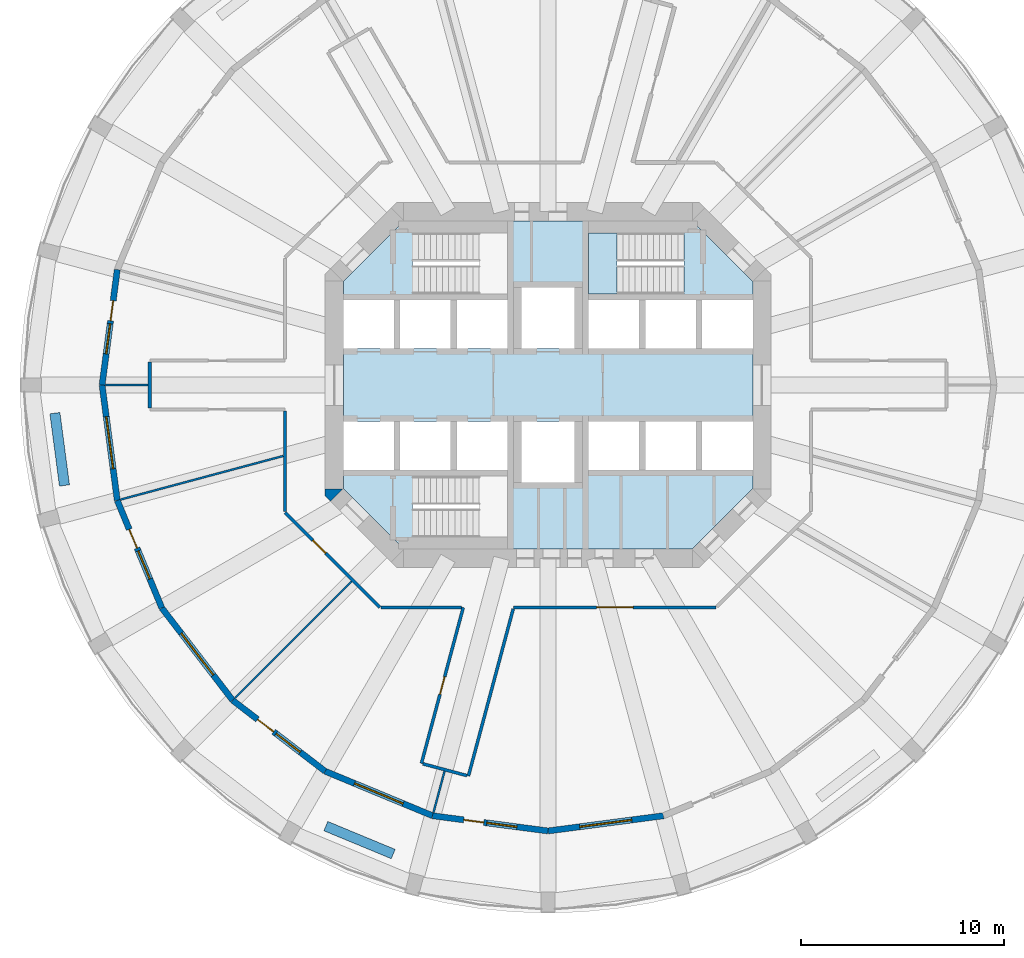
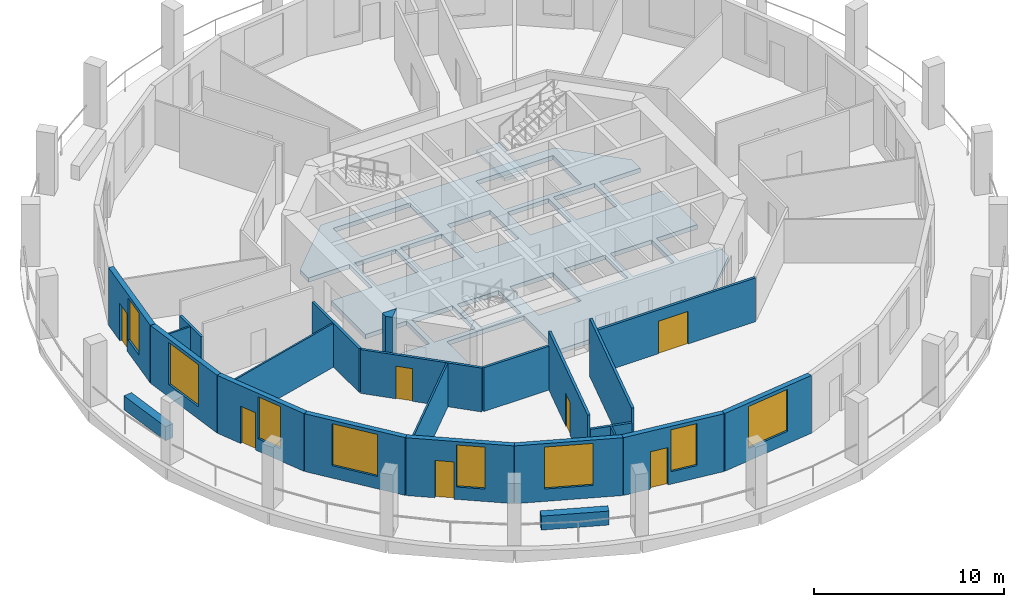
# One storey, part 2 of 9: 23 walls, 8 windows, 7 doors, 2 slabs, 15 openings, 1 element without a shape of its own.
"""IFC4 building model written with IfcOpenShell, lengths in metres."""

from ifc_helpers import new_model, si_unit, direction, frame, frame_2d, origin, place, context, subcontext, project, spatial, polyline, rectangle, outline, extrude, material, layer, layer_set, type_object, element, fill, aggregate, save


model = new_model("IFC4")

# Units and contexts
model_context = context("Model", 3, precision=1e-05, world=origin(), true_north=direction((0.0, 1.0)))
body_context = subcontext(model_context, "Body", "Model", "MODEL_VIEW")
ifc_project = project(units=[si_unit("LENGTHUNIT", "METRE"), si_unit("AREAUNIT", "SQUARE_METRE"), si_unit("VOLUMEUNIT", "CUBIC_METRE"), si_unit("PLANEANGLEUNIT", "RADIAN"), si_unit("MASSUNIT", "GRAM", prefix="KILO")], contexts=[model_context])

# Site, building, storey
site_placement = place(None, origin())
site = spatial("IfcSite", under=ifc_project, at=site_placement, CompositionType="ELEMENT")
building_placement = place(site_placement, origin())
building = spatial("IfcBuilding", under=site, at=building_placement, Name="Torre Triforio", CompositionType="ELEMENT")
storey_placement = place(building_placement, frame((0.0, 0.0, 102.60009765625)))
storey = spatial("IfcBuildingStorey", under=building, at=storey_placement, Name="L22", CompositionType="ELEMENT", Elevation=102.60009765625)

# Slab
ifc_material_1 = material(Name="Concrete C60", Category="concrete")
ifc_layer_1 = layer(ifc_material_1, 0.280029296875)
ifc_layer_set_1 = layer_set([ifc_layer_1], Name="Concrete C60")
slab_type_1 = type_object("IfcSlabType", Name="Core floor slab 280 mm C60 REI 120", PredefinedType="FLOOR", material=ifc_layer_set_1)
slab_1_placement = place(storey_placement, frame((0.0, 0.0, -0.280029296875)))
element("IfcSlab", 1, at=slab_1_placement, inside=storey, type_object=slab_type_1, Name="Core floor slab", PredefinedType="FLOOR", context=body_context, shape_type="SweptSolid", body=[
    extrude(outline(polyline([(10.10009765625, -5.10009765625), (7.10009765625, -8.10009765625), (-7.10009765625, -8.10009765625), (-10.10009765625, -5.10009765625), (-10.10009765625, -4.199951171875), (-7.60009765625, -4.199951171875), (-7.60009765625, -1.800048828125), (-10.10009765625, -1.800048828125), (-10.10009765625, 1.800048828125), (-7.60009765625, 1.800048828125), (-7.60009765625, 4.199951171875), (-10.10009765625, 4.199951171875), (-10.10009765625, 5.10009765625), (-7.10009765625, 8.10009765625), (7.10009765625, 8.10009765625), (10.10009765625, 5.10009765625), (10.10009765625, 4.199951171875), (7.60009765625, 4.199951171875), (7.60009765625, 1.800048828125), (10.10009765625, 1.800048828125), (10.10009765625, -1.800048828125), (7.60009765625, -1.800048828125), (7.60009765625, -4.199951171875), (10.10009765625, -4.199951171875), (10.10009765625, -5.10009765625)]), holes=[polyline([(-2.0, -4.5), (-6.696044921875, -4.5), (-6.696044921875, -7.5), (-2.0, -7.5), (-2.0, -4.5)]), polyline([(-4.800048828125, -1.800048828125), (-7.300048828125, -1.800048828125), (-7.300048828125, -4.199951171875), (-4.800048828125, -4.199951171875), (-4.800048828125, -1.800048828125)]), polyline([(-2.0, -1.800048828125), (-4.5, -1.800048828125), (-4.5, -4.199951171875), (-2.0, -4.199951171875), (-2.0, -1.800048828125)]), polyline([(-4.800048828125, 4.199951171875), (-7.300048828125, 4.199951171875), (-7.300048828125, 1.800048828125), (-4.800048828125, 1.800048828125), (-4.800048828125, 4.199951171875)]), polyline([(-2.0, 4.199951171875), (-4.5, 4.199951171875), (-4.5, 1.800048828125), (-2.0, 1.800048828125), (-2.0, 4.199951171875)]), polyline([(1.300048828125, 4.800048828125), (-1.300048828125, 4.800048828125), (-1.300048828125, 1.800048828125), (1.300048828125, 1.800048828125), (1.300048828125, 4.800048828125)]), polyline([(-2.0, 7.5), (-6.696044921875, 7.5), (-6.696044921875, 4.5), (-2.0, 4.5), (-2.0, 7.5)]), polyline([(1.300048828125, -1.800048828125), (-1.300048828125, -1.800048828125), (-1.300048828125, -4.800048828125), (1.300048828125, -4.800048828125), (1.300048828125, -1.800048828125)]), polyline([(4.5, -1.800048828125), (2.0, -1.800048828125), (2.0, -4.199951171875), (4.5, -4.199951171875), (4.5, -1.800048828125)]), polyline([(7.300048828125, -1.800048828125), (4.800048828125, -1.800048828125), (4.800048828125, -4.199951171875), (7.300048828125, -4.199951171875), (7.300048828125, -1.800048828125)]), polyline([(4.5, 4.199951171875), (2.0, 4.199951171875), (2.0, 1.800048828125), (4.5, 1.800048828125), (4.5, 4.199951171875)]), polyline([(7.300048828125, 4.199951171875), (4.800048828125, 4.199951171875), (4.800048828125, 1.800048828125), (7.300048828125, 1.800048828125), (7.300048828125, 4.199951171875)]), polyline([(6.696044921875, 4.5), (6.696044921875, 7.5), (2.0, 7.5), (2.0, 4.5), (6.696044921875, 4.5)])]), origin(), (0.0, 0.0, 1.0), 0.280029296875),
])

# Stair, slab
ifc_material_2 = material(Name="Concrete C40", Category="concrete")
stair_type = type_object("IfcStairType", Name="STAIR HALF-TURN", PredefinedType="HALF_TURN_STAIR", material=ifc_material_2)
stair_placement = place(storey_placement, origin())
stair = element("IfcStair", 2, at=stair_placement, inside=storey, type_object=stair_type, Name="Exit stair 2", PredefinedType="HALF_TURN_STAIR")
ifc_layer_2 = layer(ifc_material_2, 0.199951171875)
ifc_layer_set_2 = layer_set([ifc_layer_2], Name="Concrete C40")
slab_type_2 = type_object("IfcSlabType", Name="STAIR LANDING 200", PredefinedType="LANDING", material=ifc_layer_set_2)
slab_2_placement = place(storey_placement, frame((0.0, 0.0, 1.7998046875)))
slab_2 = element("IfcSlab", 3, at=slab_2_placement, type_object=slab_type_2, Name="ST2 landing 1", PredefinedType="LANDING", context=body_context, shape_type="SweptSolid", body=[
    extrude(outline(polyline([(3.39990234375, 4.5), (3.39990234375, 7.5), (2.0, 7.5), (2.0, 4.5), (3.39990234375, 4.5)])), origin(), (0.0, 0.0, 1.0), 0.2001953125),
])
aggregate(stair, [slab_2])

# Wall
ifc_layer_3 = layer(ifc_material_1, 0.89990234375)
ifc_layer_set_3 = layer_set([ifc_layer_3], Name="Concrete C60")
wall_type_1 = type_object("IfcWallType", Name="Core wall 900 mm C60 EI 120", PredefinedType="SHEAR", material=ifc_layer_set_3)
wall_1_placement = place(storey_placement, frame((0.0, 0.0, -0.280029296875)))
element("IfcWall", 4, at=wall_1_placement, inside=storey, type_object=wall_type_1, Name="Core wall", PredefinedType="SHEAR", context=body_context, shape_type="SweptSolid", body=[
    extrude(outline(polyline([(-11.0, -5.472900390625), (-11.0, -5.1298828125), (-10.1298828125, -5.1298828125), (-10.736328125, -5.736328125), (-11.0, -5.472900390625)])), origin(), (0.0, 0.0, 1.0), 4.0),
])

# Wall, opening, door
ifc_material_3 = material(Name="Plasterboard on metal studs")
ifc_layer_4 = layer(ifc_material_3, 0.14990234375)
ifc_layer_set_4 = layer_set([ifc_layer_4], Name="Plasterboard on metal studs")
wall_type_2 = type_object("IfcWallType", Name="Corridor and tenancy wall 150 mm EI 60", PredefinedType="PARTITIONING", material=ifc_layer_set_4)
wall_2_placement = place(storey_placement, frame((-8.291015625, -10.97509765625, 0.0), z_axis=(0.0, 0.0, 1.0), x_axis=(-0.707106781187, 0.707106781187, 0.0)))
wall_2 = element("IfcWall", 5, at=wall_2_placement, inside=storey, type_object=wall_type_2, Name="Partition 1", PredefinedType="PARTITIONING", context=body_context, shape_type="SweptSolid", body=[
    extrude(rectangle(XDim=6.624267578125, YDim=0.14990234375, at=frame_2d((3.31201171875, 0.0))), origin(), (0.0, 0.0, 1.0), 2.81982421875),
])
opening_1_placement = place(wall_2_placement, frame((3.7861328125, 0.0, 0.0)))
opening_1 = element("IfcOpeningElement", 6, at=opening_1_placement, cuts=wall_2, Name="Opening N7-04", PredefinedType="OPENING", context=body_context, shape_type="SweptSolid", body=[
    extrude(rectangle(XDim=0.89990234375, YDim=2.10009765625, at=frame_2d((0.449951171875, 1.050048828125))), frame((0.0, 0.0849609375, 0.0), z_axis=(0.0, -1.0, 0.0), x_axis=(1.0, 0.0, 0.0)), (0.0, 0.0, 1.0), 0.169921875),
])
ifc_material_4 = material(Name="Timber", Category="wood")
door_type_1 = type_object("IfcDoorType", Name="Door 900 x 2100 single leaf EI 30", OperationType="NOTDEFINED", PredefinedType="DOOR", material=ifc_material_4)
door_1_placement = place(opening_1_placement, origin())
door_1 = element("IfcDoor", 7, at=door_1_placement, inside=storey, type_object=door_type_1, Name="Door N7-04", OperationType="SINGLE_SWING_RIGHT", OverallHeight=2.10009765625, OverallWidth=0.89990234375, PredefinedType="DOOR", context=body_context, shape_type="SweptSolid", body=[
    extrude(rectangle(XDim=0.89990234375, YDim=2.10009765625, at=frame_2d((0.449951171875, 1.050048828125))), frame((0.0, 0.02490234375, 0.0), z_axis=(0.0, -1.0, 0.0), x_axis=(1.0, 0.0, 0.0)), (0.0, 0.0, 1.0), 0.050048828125),
])
fill(opening_1, door_1)

# Walls
wall_3_placement = place(storey_placement, frame((-12.97509765625, -6.23828125, 0.0), z_axis=(0.0, 0.0, 1.0), x_axis=(0.0, 1.0, 0.0)))
element("IfcWall", 8, at=wall_3_placement, inside=storey, type_object=wall_type_2, Name="Partition 2", PredefinedType="PARTITIONING", context=body_context, shape_type="SweptSolid", body=[
    extrude(rectangle(XDim=4.96337890625, YDim=0.14990234375, at=frame_2d((2.481689453125, 0.0))), origin(), (0.0, 0.0, 1.0), 2.81982421875),
])
wall_4_placement = place(storey_placement, frame((-19.648681640625, -1.125, 0.0), z_axis=(0.0, 0.0, 1.0), x_axis=(0.0, 1.0, 0.0)))
element("IfcWall", 9, at=wall_4_placement, inside=storey, type_object=wall_type_2, Name="Partition 4", PredefinedType="PARTITIONING", context=body_context, shape_type="SweptSolid", body=[
    extrude(rectangle(XDim=2.25, YDim=0.14990234375, at=frame_2d((1.125, 0.0))), origin(), (0.0, 0.0, 1.0), 2.81982421875),
])

# Wall, opening, door
wall_5_placement = place(storey_placement, frame((8.291015625, -10.97509765625, 0.0), z_axis=(0.0, 0.0, 1.0), x_axis=(-1.0, 0.0, 0.0)))
wall_5 = element("IfcWall", 10, at=wall_5_placement, inside=storey, type_object=wall_type_2, Name="Partition 26", PredefinedType="PARTITIONING", context=body_context, shape_type="SweptSolid", body=[
    extrude(rectangle(XDim=9.989501953125, YDim=0.14990234375, at=frame_2d((4.99462890625, 0.0))), origin(), (0.0, 0.0, 1.0), 2.81982421875),
])
opening_2_placement = place(wall_5_placement, frame((4.094482421875, 0.0, 0.0)))
opening_2 = element("IfcOpeningElement", 11, at=opening_2_placement, cuts=wall_5, Name="Opening N7-06", PredefinedType="OPENING", context=body_context, shape_type="SweptSolid", body=[
    extrude(rectangle(XDim=1.800048828125, YDim=2.10009765625, at=frame_2d((0.89990234375, 1.050048828125))), frame((0.0, 0.0849609375, 0.0), z_axis=(0.0, -1.0, 0.0), x_axis=(1.0, 0.0, 0.0)), (0.0, 0.0, 1.0), 0.169921875),
])
door_type_2 = type_object("IfcDoorType", Name="Door 1800 x 2100 double leaf EI 30", OperationType="DOUBLE_DOOR_SINGLE_SWING", PredefinedType="DOOR", material=ifc_material_4)
door_2_placement = place(opening_2_placement, origin())
door_2 = element("IfcDoor", 12, at=door_2_placement, inside=storey, type_object=door_type_2, Name="Door N7-06", OperationType="DOUBLE_DOOR_SINGLE_SWING", OverallHeight=2.10009765625, OverallWidth=1.800048828125, PredefinedType="DOOR", context=body_context, shape_type="SweptSolid", body=[
    extrude(rectangle(XDim=1.800048828125, YDim=2.10009765625, at=frame_2d((0.89990234375, 1.050048828125))), frame((0.0, 0.02490234375, 0.0), z_axis=(0.0, -1.0, 0.0), x_axis=(1.0, 0.0, 0.0)), (0.0, 0.0, 1.0), 0.050048828125),
])
fill(opening_2, door_2)

# Walls
wall_6_placement = place(storey_placement, frame((-1.71728515625, -11.044921875, 0.0), z_axis=(0.0, 0.0, 1.0), x_axis=(-0.258794702264, -0.965932348604, 0.0)))
element("IfcWall", 13, at=wall_6_placement, inside=storey, type_object=wall_type_2, Name="Partition 27", PredefinedType="PARTITIONING", context=body_context, shape_type="SweptSolid", body=[
    extrude(rectangle(XDim=8.53564453125, YDim=0.14990234375, at=frame_2d((4.267822265625, 0.0))), origin(), (0.0, 0.0, 1.0), 3.719970703125),
])
wall_7_placement = place(storey_placement, frame((-3.998779296875, -19.2705078125, 0.0), z_axis=(0.0, 0.0, 1.0), x_axis=(-0.965906393436, 0.258891558609, 0.0)))
element("IfcWall", 14, at=wall_7_placement, inside=storey, type_object=wall_type_2, Name="Partition 28", PredefinedType="PARTITIONING", context=body_context, shape_type="SweptSolid", body=[
    extrude(rectangle(XDim=2.25, YDim=0.14990234375, at=frame_2d((1.125, 0.0))), origin(), (0.0, 0.0, 1.0), 2.81982421875),
])

# Wall, opening, door
wall_8_placement = place(storey_placement, frame((-6.24462890625, -18.668701171875, 0.0), z_axis=(0.0, 0.0, 1.0), x_axis=(0.258822393938, 0.965924928965, 0.0)))
wall_8 = element("IfcWall", 15, at=wall_8_placement, inside=storey, type_object=wall_type_2, Name="Partition 29", PredefinedType="PARTITIONING", context=body_context, shape_type="SweptSolid", body=[
    extrude(rectangle(XDim=7.965087890625, YDim=0.14990234375, at=frame_2d((3.982421875, 0.0))), origin(), (0.0, 0.0, 1.0), 3.719970703125),
])
opening_3_placement = place(wall_8_placement, frame((3.532470703125, 0.0, 0.0)))
opening_3 = element("IfcOpeningElement", 16, at=opening_3_placement, cuts=wall_8, Name="Opening N7-05", PredefinedType="OPENING", context=body_context, shape_type="SweptSolid", body=[
    extrude(rectangle(XDim=0.89990234375, YDim=2.10009765625, at=frame_2d((0.449951171875, 1.050048828125))), frame((0.0, 0.0849609375, 0.0), z_axis=(0.0, -1.0, 0.0), x_axis=(1.0, 0.0, 0.0)), (0.0, 0.0, 1.0), 0.169921875),
])
door_3_placement = place(opening_3_placement, origin())
door_3 = element("IfcDoor", 17, at=door_3_placement, inside=storey, type_object=door_type_1, Name="Door N7-05", OperationType="SINGLE_SWING_LEFT", OverallHeight=2.10009765625, OverallWidth=0.89990234375, PredefinedType="DOOR", context=body_context, shape_type="SweptSolid", body=[
    extrude(rectangle(XDim=0.89990234375, YDim=2.10009765625, at=frame_2d((0.449951171875, 1.050048828125))), frame((0.0, 0.02490234375, 0.0), z_axis=(0.0, -1.0, 0.0), x_axis=(1.0, 0.0, 0.0)), (0.0, 0.0, 1.0), 0.050048828125),
])
fill(opening_3, door_3)

# Walls
wall_9_placement = place(storey_placement, frame((-4.280517578125, -10.97509765625, 0.0), z_axis=(0.0, 0.0, 1.0), x_axis=(-1.0, 0.0, 0.0)))
element("IfcWall", 18, at=wall_9_placement, inside=storey, type_object=wall_type_2, Name="Partition 30", PredefinedType="PARTITIONING", context=body_context, shape_type="SweptSolid", body=[
    extrude(rectangle(XDim=3.957763671875, YDim=0.14990234375, at=frame_2d((1.97900390625, 0.0))), origin(), (0.0, 0.0, 1.0), 2.81982421875),
])
ifc_layer_5 = layer(ifc_material_3, 0.10009765625)
ifc_layer_set_5 = layer_set([ifc_layer_5], Name="Plasterboard on metal studs")
wall_type_3 = type_object("IfcWallType", Name="Partition 100 mm board on metal studs", PredefinedType="PARTITIONING", material=ifc_layer_set_5)
wall_10_placement = place(storey_placement, frame((-19.7236328125, 0.0, 0.0), z_axis=(0.0, 0.0, 1.0), x_axis=(-1.0, 0.0, 0.0)))
element("IfcWall", 19, at=wall_10_placement, inside=storey, type_object=wall_type_3, Name="Partition 39", PredefinedType="PARTITIONING", context=body_context, shape_type="SweptSolid", body=[
    extrude(rectangle(XDim=2.113037109375, YDim=0.10009765625, at=frame_2d((1.056640625, 0.0))), origin(), (0.0, 0.0, 1.0), 2.81982421875),
])
wall_11_placement = place(storey_placement, frame((-13.064208984375, -3.50048828125, 0.0), z_axis=(0.0, 0.0, 1.0), x_axis=(-0.965920254223, -0.258839839442, 0.0)))
element("IfcWall", 20, at=wall_11_placement, inside=storey, type_object=wall_type_3, Name="Partition 40", PredefinedType="PARTITIONING", context=body_context, shape_type="SweptSolid", body=[
    extrude(rectangle(XDim=8.3115234375, YDim=0.10009765625, at=frame_2d((4.15576171875, 0.0))), origin(), (0.0, 0.0, 1.0), 2.81982421875),
])
wall_12_placement = place(storey_placement, frame((-9.68603515625, -9.68603515625, 0.0), z_axis=(0.0, 0.0, 1.0), x_axis=(-0.707106781187, -0.707106781187, 0.0)))
element("IfcWall", 21, at=wall_12_placement, inside=storey, type_object=wall_type_3, Name="Partition 41", PredefinedType="PARTITIONING", context=body_context, shape_type="SweptSolid", body=[
    extrude(rectangle(XDim=8.138671875, YDim=0.10009765625, at=frame_2d((4.0693359375, 0.0))), origin(), (0.0, 0.0, 1.0), 2.81982421875),
])
wall_13_placement = place(storey_placement, frame((-5.10498046875, -19.051513671875, 0.0), z_axis=(0.0, 0.0, 1.0), x_axis=(-0.258813089189, -0.965927422152, 0.0)))
element("IfcWall", 22, at=wall_13_placement, inside=storey, type_object=wall_type_3, Name="Partition 42", PredefinedType="PARTITIONING", context=body_context, shape_type="SweptSolid", body=[
    extrude(rectangle(XDim=2.113037109375, YDim=0.10009765625, at=frame_2d((1.056640625, 0.0))), origin(), (0.0, 0.0, 1.0), 2.81982421875),
])
ifc_material_5 = material(Name="Limestone cladding", Category="masonry")
ifc_layer_6 = layer(ifc_material_5, 0.10009765625)
ifc_layer_7 = layer(ifc_material_2, 0.39990234375)
ifc_layer_set_6 = layer_set([ifc_layer_6, ifc_layer_7], Name="Limestone cladding / Concrete C40")
wall_type_4 = type_object("IfcWallType", Name="Planter wall 500", PredefinedType="PARAPET", material=ifc_layer_set_6)
for number, where, z_axis, x_axis, name in (
    (23, (-24.3271484375, -1.38720703125, 0.0), (0.0, 0.0, 1.0), (0.130551000099, -0.991441595039, 0.0), "Planter L22 bay 13"),
    (24, (-10.962158203125, -21.761474609375, 0.0), (0.0, 0.0, 1.0), (0.923875488976, -0.382693194178, 0.0), "Planter L22 bay 17"),
):
    element("IfcWall", number, at=place(storey_placement, frame(where, z_axis=z_axis, x_axis=x_axis)), inside=storey, type_object=wall_type_4, Name=name, PredefinedType="PARAPET", context=body_context, shape_type="SweptSolid", body=[
        extrude(rectangle(XDim=3.599853515625, YDim=0.5, at=frame_2d((1.7998046875, 0.0))), origin(), (0.0, 0.0, 1.0), 0.89990234375),
    ])

# Wall, openings, door, window
ifc_layer_8 = layer(ifc_material_5, 0.10009765625)
ifc_layer_9 = layer(ifc_material_2, 0.199951171875)
ifc_layer_set_7 = layer_set([ifc_layer_8, ifc_layer_9], Name="Limestone cladding / Concrete C40")
wall_type_5 = type_object("IfcWallType", Name="Stone-faced composite wall 300", PredefinedType="STANDARD", material=ifc_layer_set_7)
wall_14_placement = place(storey_placement, frame((-21.25048828125, 5.694091796875, 0.0), z_axis=(0.0, 0.0, 1.0), x_axis=(-0.130503995834, -0.991447783331, 0.0)))
wall_14 = element("IfcWall", 25, at=wall_14_placement, inside=storey, type_object=wall_type_5, Name="External wall L22 bay 12", PredefinedType="STANDARD", context=body_context, shape_type="SweptSolid", body=[
    extrude(rectangle(XDim=5.7431640625, YDim=0.300048828125, at=frame_2d((2.87158203125, 0.0))), origin(), (0.0, 0.0, 1.0), 3.719970703125),
])
opening_4_placement = place(wall_14_placement, frame((1.546630859375, 0.0, 0.0)))
opening_4 = element("IfcOpeningElement", 26, at=opening_4_placement, cuts=wall_14, Name="Opening N7-D12", PredefinedType="OPENING", context=body_context, shape_type="SweptSolid", body=[
    extrude(rectangle(XDim=1.0, YDim=2.39990234375, at=frame_2d((0.5, 1.199951171875))), frame((0.0, 0.159912109375, 0.0), z_axis=(0.0, -1.0, 0.0), x_axis=(1.0, 0.0, 0.0)), (0.0, 0.0, 1.0), 0.320068359375),
])
opening_5_placement = place(wall_14_placement, frame((2.696533203125, 0.0, 0.800048828125)))
opening_5 = element("IfcOpeningElement", 27, at=opening_5_placement, cuts=wall_14, Name="Opening N7-W12A", PredefinedType="OPENING", context=body_context, shape_type="SweptSolid", body=[
    extrude(rectangle(XDim=1.5, YDim=2.699951171875, at=frame_2d((0.75, 1.35009765625))), frame((0.0, 0.159912109375, 0.0), z_axis=(0.0, -1.0, 0.0), x_axis=(1.0, 0.0, 0.0)), (0.0, 0.0, 1.0), 0.320068359375),
])
ifc_material_6 = material(Name="Aluminium frame with clear double glazing", Category="aluminium")
door_type_3 = type_object("IfcDoorType", Name="Loggia door 1000 x 2400", OperationType="NOTDEFINED", PredefinedType="DOOR", material=ifc_material_6)
door_4_placement = place(opening_4_placement, origin())
door_4 = element("IfcDoor", 28, at=door_4_placement, inside=storey, type_object=door_type_3, Name="Loggia door L22 bay 12", OperationType="SINGLE_SWING_LEFT", OverallHeight=2.39990234375, OverallWidth=1.0, PredefinedType="DOOR", context=body_context, shape_type="SweptSolid", body=[
    extrude(rectangle(XDim=1.0, YDim=2.39990234375, at=frame_2d((0.5, 1.199951171875))), frame((0.0, 0.02490234375, 0.0), z_axis=(0.0, -1.0, 0.0), x_axis=(1.0, 0.0, 0.0)), (0.0, 0.0, 1.0), 0.050048828125),
])
fill(opening_4, door_4)
window_type_1 = type_object("IfcWindowType", Name="Side window 1500 x 2700", PartitioningType="SINGLE_PANEL", PredefinedType="WINDOW", material=ifc_material_6)
window_1_placement = place(opening_5_placement, origin())
window_1 = element("IfcWindow", 29, at=window_1_placement, inside=storey, type_object=window_type_1, Name="Side window EWN12 L22 bay 12", OverallHeight=2.699951171875, OverallWidth=1.5, PartitioningType="SINGLE_PANEL", PredefinedType="WINDOW", context=body_context, shape_type="SweptSolid", body=[
    extrude(rectangle(XDim=1.5, YDim=2.699951171875, at=frame_2d((0.75, 1.35009765625))), frame((0.0, 0.030029296875, 0.0), z_axis=(0.0, -1.0, 0.0), x_axis=(1.0, 0.0, 0.0)), (0.0, 0.0, 1.0), 0.06005859375),
])
fill(opening_5, window_1)

# Wall, opening, window
wall_15_placement = place(storey_placement, frame((-22.0, 0.0, 0.0), z_axis=(0.0, 0.0, 1.0), x_axis=(0.130503995834, -0.991447783331, 0.0)))
wall_15 = element("IfcWall", 30, at=wall_15_placement, inside=storey, type_object=wall_type_5, Name="External wall L22 bay 13", PredefinedType="STANDARD", context=body_context, shape_type="SweptSolid", body=[
    extrude(rectangle(XDim=5.7431640625, YDim=0.300048828125, at=frame_2d((2.87158203125, 0.0))), origin(), (0.0, 0.0, 1.0), 3.719970703125),
])
opening_6_placement = place(wall_15_placement, frame((1.571533203125, 0.0, 0.800048828125)))
opening_6 = element("IfcOpeningElement", 31, at=opening_6_placement, cuts=wall_15, Name="Opening N7-W13", PredefinedType="OPENING", context=body_context, shape_type="SweptSolid", body=[
    extrude(rectangle(XDim=2.60009765625, YDim=2.699951171875, at=frame_2d((1.300048828125, 1.35009765625))), frame((0.0, 0.159912109375, 0.0), z_axis=(0.0, -1.0, 0.0), x_axis=(1.0, 0.0, 0.0)), (0.0, 0.0, 1.0), 0.320068359375),
])
window_type_2 = type_object("IfcWindowType", Name="Punched window 2600 x 2700", PartitioningType="DOUBLE_PANEL_VERTICAL", PredefinedType="WINDOW", material=ifc_material_6)
window_2_placement = place(opening_6_placement, origin())
window_2 = element("IfcWindow", 32, at=window_2_placement, inside=storey, type_object=window_type_2, Name="Window EWN2 L22 bay 13", OverallHeight=2.699951171875, OverallWidth=2.60009765625, PartitioningType="SINGLE_PANEL", PredefinedType="WINDOW", context=body_context, shape_type="SweptSolid", body=[
    extrude(rectangle(XDim=2.60009765625, YDim=2.699951171875, at=frame_2d((1.300048828125, 1.35009765625))), frame((0.0, 0.030029296875, 0.0), z_axis=(0.0, -1.0, 0.0), x_axis=(1.0, 0.0, 0.0)), (0.0, 0.0, 1.0), 0.06005859375),
])
fill(opening_6, window_2)

# Wall, openings, door, window
wall_16_placement = place(storey_placement, frame((-21.25048828125, -5.694091796875, 0.0), z_axis=(0.0, 0.0, 1.0), x_axis=(0.382715966503, -0.923866055759, 0.0)))
wall_16 = element("IfcWall", 33, at=wall_16_placement, inside=storey, type_object=wall_type_5, Name="External wall L22 bay 14", PredefinedType="STANDARD", context=body_context, shape_type="SweptSolid", body=[
    extrude(rectangle(XDim=5.7431640625, YDim=0.300048828125, at=frame_2d((2.87158203125, 0.0))), origin(), (0.0, 0.0, 1.0), 3.719970703125),
])
opening_7_placement = place(wall_16_placement, frame((1.546630859375, 0.0, 0.0)))
opening_7 = element("IfcOpeningElement", 34, at=opening_7_placement, cuts=wall_16, Name="Opening N7-D14", PredefinedType="OPENING", context=body_context, shape_type="SweptSolid", body=[
    extrude(rectangle(XDim=1.0, YDim=2.39990234375, at=frame_2d((0.5, 1.199951171875))), frame((0.0, 0.159912109375, 0.0), z_axis=(0.0, -1.0, 0.0), x_axis=(1.0, 0.0, 0.0)), (0.0, 0.0, 1.0), 0.320068359375),
])
opening_8_placement = place(wall_16_placement, frame((2.696533203125, 0.0, 0.800048828125)))
opening_8 = element("IfcOpeningElement", 35, at=opening_8_placement, cuts=wall_16, Name="Opening N7-W14A", PredefinedType="OPENING", context=body_context, shape_type="SweptSolid", body=[
    extrude(rectangle(XDim=1.5, YDim=2.699951171875, at=frame_2d((0.75, 1.35009765625))), frame((0.0, 0.159912109375, 0.0), z_axis=(0.0, -1.0, 0.0), x_axis=(1.0, 0.0, 0.0)), (0.0, 0.0, 1.0), 0.320068359375),
])
door_5_placement = place(opening_7_placement, origin())
door_5 = element("IfcDoor", 36, at=door_5_placement, inside=storey, type_object=door_type_3, Name="Loggia door L22 bay 14", OperationType="SINGLE_SWING_LEFT", OverallHeight=2.39990234375, OverallWidth=1.0, PredefinedType="DOOR", context=body_context, shape_type="SweptSolid", body=[
    extrude(rectangle(XDim=1.0, YDim=2.39990234375, at=frame_2d((0.5, 1.199951171875))), frame((0.0, 0.02490234375, 0.0), z_axis=(0.0, -1.0, 0.0), x_axis=(1.0, 0.0, 0.0)), (0.0, 0.0, 1.0), 0.050048828125),
])
fill(opening_7, door_5)
window_3_placement = place(opening_8_placement, origin())
window_3 = element("IfcWindow", 37, at=window_3_placement, inside=storey, type_object=window_type_1, Name="Side window EWN12 L22 bay 14", OverallHeight=2.699951171875, OverallWidth=1.5, PartitioningType="SINGLE_PANEL", PredefinedType="WINDOW", context=body_context, shape_type="SweptSolid", body=[
    extrude(rectangle(XDim=1.5, YDim=2.699951171875, at=frame_2d((0.75, 1.35009765625))), frame((0.0, 0.030029296875, 0.0), z_axis=(0.0, -1.0, 0.0), x_axis=(1.0, 0.0, 0.0)), (0.0, 0.0, 1.0), 0.06005859375),
])
fill(opening_8, window_3)

# Wall, opening, window
wall_17_placement = place(storey_placement, frame((-19.052490234375, -11.0, 0.0), z_axis=(0.0, 0.0, 1.0), x_axis=(0.608744744291, -0.793366142647, 0.0)))
wall_17 = element("IfcWall", 38, at=wall_17_placement, inside=storey, type_object=wall_type_5, Name="External wall L22 bay 15", PredefinedType="STANDARD", context=body_context, shape_type="SweptSolid", body=[
    extrude(rectangle(XDim=5.7431640625, YDim=0.300048828125, at=frame_2d((2.87158203125, 0.0))), origin(), (0.0, 0.0, 1.0), 3.719970703125),
])
opening_9_placement = place(wall_17_placement, frame((1.571533203125, 0.0, 0.800048828125)))
opening_9 = element("IfcOpeningElement", 39, at=opening_9_placement, cuts=wall_17, Name="Opening N7-W15", PredefinedType="OPENING", context=body_context, shape_type="SweptSolid", body=[
    extrude(rectangle(XDim=2.60009765625, YDim=2.699951171875, at=frame_2d((1.300048828125, 1.35009765625))), frame((0.0, 0.159912109375, 0.0), z_axis=(0.0, -1.0, 0.0), x_axis=(1.0, 0.0, 0.0)), (0.0, 0.0, 1.0), 0.320068359375),
])
window_4_placement = place(opening_9_placement, origin())
window_4 = element("IfcWindow", 40, at=window_4_placement, inside=storey, type_object=window_type_2, Name="Window EWN2 L22 bay 15", OverallHeight=2.699951171875, OverallWidth=2.60009765625, PartitioningType="SINGLE_PANEL", PredefinedType="WINDOW", context=body_context, shape_type="SweptSolid", body=[
    extrude(rectangle(XDim=2.60009765625, YDim=2.699951171875, at=frame_2d((1.300048828125, 1.35009765625))), frame((0.0, 0.030029296875, 0.0), z_axis=(0.0, -1.0, 0.0), x_axis=(1.0, 0.0, 0.0)), (0.0, 0.0, 1.0), 0.06005859375),
])
fill(opening_9, window_4)

# Wall, openings, door, window
wall_18_placement = place(storey_placement, frame((-15.556396484375, -15.556396484375, 0.0), z_axis=(0.0, 0.0, 1.0), x_axis=(0.793366142647, -0.608744744291, 0.0)))
wall_18 = element("IfcWall", 41, at=wall_18_placement, inside=storey, type_object=wall_type_5, Name="External wall L22 bay 16", PredefinedType="STANDARD", context=body_context, shape_type="SweptSolid", body=[
    extrude(rectangle(XDim=5.7431640625, YDim=0.300048828125, at=frame_2d((2.87158203125, 0.0))), origin(), (0.0, 0.0, 1.0), 3.719970703125),
])
opening_10_placement = place(wall_18_placement, frame((1.546630859375, 0.0, 0.0)))
opening_10 = element("IfcOpeningElement", 42, at=opening_10_placement, cuts=wall_18, Name="Opening N7-D16", PredefinedType="OPENING", context=body_context, shape_type="SweptSolid", body=[
    extrude(rectangle(XDim=1.0, YDim=2.39990234375, at=frame_2d((0.5, 1.199951171875))), frame((0.0, 0.159912109375, 0.0), z_axis=(0.0, -1.0, 0.0), x_axis=(1.0, 0.0, 0.0)), (0.0, 0.0, 1.0), 0.320068359375),
])
opening_11_placement = place(wall_18_placement, frame((2.696533203125, 0.0, 0.800048828125)))
opening_11 = element("IfcOpeningElement", 43, at=opening_11_placement, cuts=wall_18, Name="Opening N7-W16A", PredefinedType="OPENING", context=body_context, shape_type="SweptSolid", body=[
    extrude(rectangle(XDim=1.5, YDim=2.699951171875, at=frame_2d((0.75, 1.35009765625))), frame((0.0, 0.159912109375, 0.0), z_axis=(0.0, -1.0, 0.0), x_axis=(1.0, 0.0, 0.0)), (0.0, 0.0, 1.0), 0.320068359375),
])
door_6_placement = place(opening_10_placement, origin())
door_6 = element("IfcDoor", 44, at=door_6_placement, inside=storey, type_object=door_type_3, Name="Loggia door L22 bay 16", OperationType="SINGLE_SWING_LEFT", OverallHeight=2.39990234375, OverallWidth=1.0, PredefinedType="DOOR", context=body_context, shape_type="SweptSolid", body=[
    extrude(rectangle(XDim=1.0, YDim=2.39990234375, at=frame_2d((0.5, 1.199951171875))), frame((0.0, 0.02490234375, 0.0), z_axis=(0.0, -1.0, 0.0), x_axis=(1.0, 0.0, 0.0)), (0.0, 0.0, 1.0), 0.050048828125),
])
fill(opening_10, door_6)
window_5_placement = place(opening_11_placement, origin())
window_5 = element("IfcWindow", 45, at=window_5_placement, inside=storey, type_object=window_type_1, Name="Side window EWN12 L22 bay 16", OverallHeight=2.699951171875, OverallWidth=1.5, PartitioningType="SINGLE_PANEL", PredefinedType="WINDOW", context=body_context, shape_type="SweptSolid", body=[
    extrude(rectangle(XDim=1.5, YDim=2.699951171875, at=frame_2d((0.75, 1.35009765625))), frame((0.0, 0.030029296875, 0.0), z_axis=(0.0, -1.0, 0.0), x_axis=(1.0, 0.0, 0.0)), (0.0, 0.0, 1.0), 0.06005859375),
])
fill(opening_11, window_5)

# Wall, opening, window
wall_19_placement = place(storey_placement, frame((-11.0, -19.052490234375, 0.0), z_axis=(0.0, 0.0, 1.0), x_axis=(0.923866055759, -0.382715966503, 0.0)))
wall_19 = element("IfcWall", 46, at=wall_19_placement, inside=storey, type_object=wall_type_5, Name="External wall L22 bay 17", PredefinedType="STANDARD", context=body_context, shape_type="SweptSolid", body=[
    extrude(rectangle(XDim=5.7431640625, YDim=0.300048828125, at=frame_2d((2.87158203125, 0.0))), origin(), (0.0, 0.0, 1.0), 3.719970703125),
])
opening_12_placement = place(wall_19_placement, frame((1.571533203125, 0.0, 0.800048828125)))
opening_12 = element("IfcOpeningElement", 47, at=opening_12_placement, cuts=wall_19, Name="Opening N7-W17", PredefinedType="OPENING", context=body_context, shape_type="SweptSolid", body=[
    extrude(rectangle(XDim=2.60009765625, YDim=2.699951171875, at=frame_2d((1.300048828125, 1.35009765625))), frame((0.0, 0.159912109375, 0.0), z_axis=(0.0, -1.0, 0.0), x_axis=(1.0, 0.0, 0.0)), (0.0, 0.0, 1.0), 0.320068359375),
])
window_6_placement = place(opening_12_placement, origin())
window_6 = element("IfcWindow", 48, at=window_6_placement, inside=storey, type_object=window_type_2, Name="Window EWN2 L22 bay 17", OverallHeight=2.699951171875, OverallWidth=2.60009765625, PartitioningType="SINGLE_PANEL", PredefinedType="WINDOW", context=body_context, shape_type="SweptSolid", body=[
    extrude(rectangle(XDim=2.60009765625, YDim=2.699951171875, at=frame_2d((1.300048828125, 1.35009765625))), frame((0.0, 0.030029296875, 0.0), z_axis=(0.0, -1.0, 0.0), x_axis=(1.0, 0.0, 0.0)), (0.0, 0.0, 1.0), 0.06005859375),
])
fill(opening_12, window_6)

# Wall, openings, door, window
wall_20_placement = place(storey_placement, frame((-5.694091796875, -21.25048828125, 0.0), z_axis=(0.0, 0.0, 1.0), x_axis=(0.991447783331, -0.130503995834, 0.0)))
wall_20 = element("IfcWall", 49, at=wall_20_placement, inside=storey, type_object=wall_type_5, Name="External wall L22 bay 18", PredefinedType="STANDARD", context=body_context, shape_type="SweptSolid", body=[
    extrude(rectangle(XDim=5.7431640625, YDim=0.300048828125, at=frame_2d((2.87158203125, 0.0))), origin(), (0.0, 0.0, 1.0), 3.719970703125),
])
opening_13_placement = place(wall_20_placement, frame((1.546630859375, 0.0, 0.0)))
opening_13 = element("IfcOpeningElement", 50, at=opening_13_placement, cuts=wall_20, Name="Opening N7-D18", PredefinedType="OPENING", context=body_context, shape_type="SweptSolid", body=[
    extrude(rectangle(XDim=1.0, YDim=2.39990234375, at=frame_2d((0.5, 1.199951171875))), frame((0.0, 0.159912109375, 0.0), z_axis=(0.0, -1.0, 0.0), x_axis=(1.0, 0.0, 0.0)), (0.0, 0.0, 1.0), 0.320068359375),
])
opening_14_placement = place(wall_20_placement, frame((2.696533203125, 0.0, 0.800048828125)))
opening_14 = element("IfcOpeningElement", 51, at=opening_14_placement, cuts=wall_20, Name="Opening N7-W18A", PredefinedType="OPENING", context=body_context, shape_type="SweptSolid", body=[
    extrude(rectangle(XDim=1.5, YDim=2.699951171875, at=frame_2d((0.75, 1.35009765625))), frame((0.0, 0.159912109375, 0.0), z_axis=(0.0, -1.0, 0.0), x_axis=(1.0, 0.0, 0.0)), (0.0, 0.0, 1.0), 0.320068359375),
])
door_7_placement = place(opening_13_placement, origin())
door_7 = element("IfcDoor", 52, at=door_7_placement, inside=storey, type_object=door_type_3, Name="Loggia door L22 bay 18", OperationType="SINGLE_SWING_LEFT", OverallHeight=2.39990234375, OverallWidth=1.0, PredefinedType="DOOR", context=body_context, shape_type="SweptSolid", body=[
    extrude(rectangle(XDim=1.0, YDim=2.39990234375, at=frame_2d((0.5, 1.199951171875))), frame((0.0, 0.02490234375, 0.0), z_axis=(0.0, -1.0, 0.0), x_axis=(1.0, 0.0, 0.0)), (0.0, 0.0, 1.0), 0.050048828125),
])
fill(opening_13, door_7)
window_7_placement = place(opening_14_placement, origin())
window_7 = element("IfcWindow", 53, at=window_7_placement, inside=storey, type_object=window_type_1, Name="Side window EWN12 L22 bay 18", OverallHeight=2.699951171875, OverallWidth=1.5, PartitioningType="SINGLE_PANEL", PredefinedType="WINDOW", context=body_context, shape_type="SweptSolid", body=[
    extrude(rectangle(XDim=1.5, YDim=2.699951171875, at=frame_2d((0.75, 1.35009765625))), frame((0.0, 0.030029296875, 0.0), z_axis=(0.0, -1.0, 0.0), x_axis=(1.0, 0.0, 0.0)), (0.0, 0.0, 1.0), 0.06005859375),
])
fill(opening_14, window_7)

# Wall, opening, window
wall_21_placement = place(storey_placement, frame((0.0, -22.0, 0.0), z_axis=(0.0, 0.0, 1.0), x_axis=(0.991447783331, 0.130503995834, 0.0)))
wall_21 = element("IfcWall", 54, at=wall_21_placement, inside=storey, type_object=wall_type_5, Name="External wall L22 bay 19", PredefinedType="STANDARD", context=body_context, shape_type="SweptSolid", body=[
    extrude(rectangle(XDim=5.7431640625, YDim=0.300048828125, at=frame_2d((2.87158203125, 0.0))), origin(), (0.0, 0.0, 1.0), 3.719970703125),
])
opening_15_placement = place(wall_21_placement, frame((1.571533203125, 0.0, 0.800048828125)))
opening_15 = element("IfcOpeningElement", 55, at=opening_15_placement, cuts=wall_21, Name="Opening N7-W19", PredefinedType="OPENING", context=body_context, shape_type="SweptSolid", body=[
    extrude(rectangle(XDim=2.60009765625, YDim=2.699951171875, at=frame_2d((1.300048828125, 1.35009765625))), frame((0.0, 0.159912109375, 0.0), z_axis=(0.0, -1.0, 0.0), x_axis=(1.0, 0.0, 0.0)), (0.0, 0.0, 1.0), 0.320068359375),
])
window_8_placement = place(opening_15_placement, origin())
window_8 = element("IfcWindow", 56, at=window_8_placement, inside=storey, type_object=window_type_2, Name="Window EWN2 L22 bay 19", OverallHeight=2.699951171875, OverallWidth=2.60009765625, PartitioningType="SINGLE_PANEL", PredefinedType="WINDOW", context=body_context, shape_type="SweptSolid", body=[
    extrude(rectangle(XDim=2.60009765625, YDim=2.699951171875, at=frame_2d((1.300048828125, 1.35009765625))), frame((0.0, 0.030029296875, 0.0), z_axis=(0.0, -1.0, 0.0), x_axis=(1.0, 0.0, 0.0)), (0.0, 0.0, 1.0), 0.06005859375),
])
fill(opening_15, window_8)

save(model, "model.ifc")
